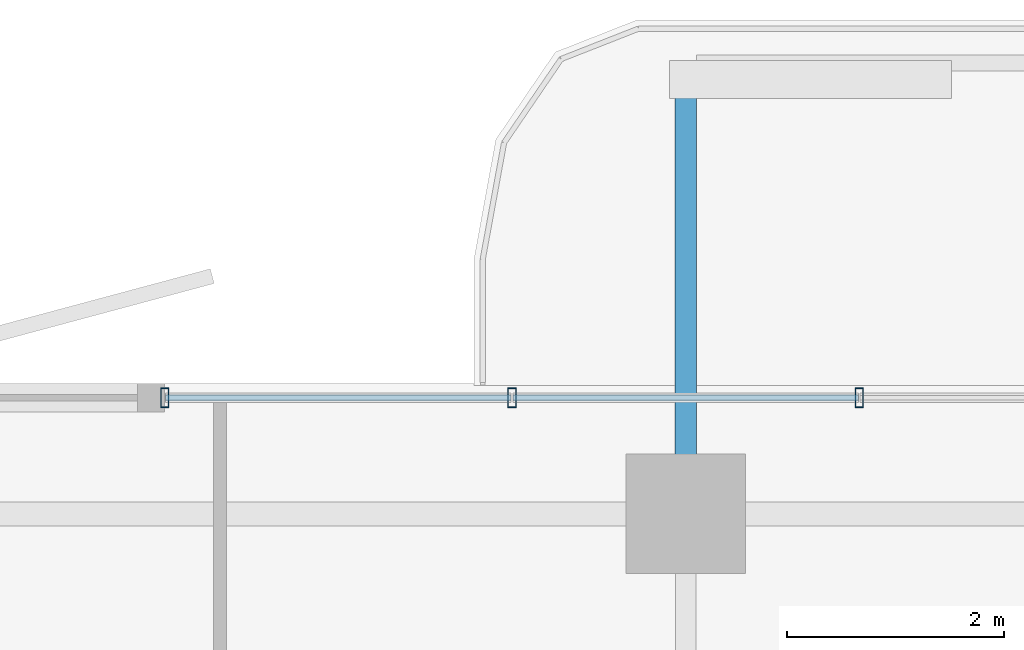
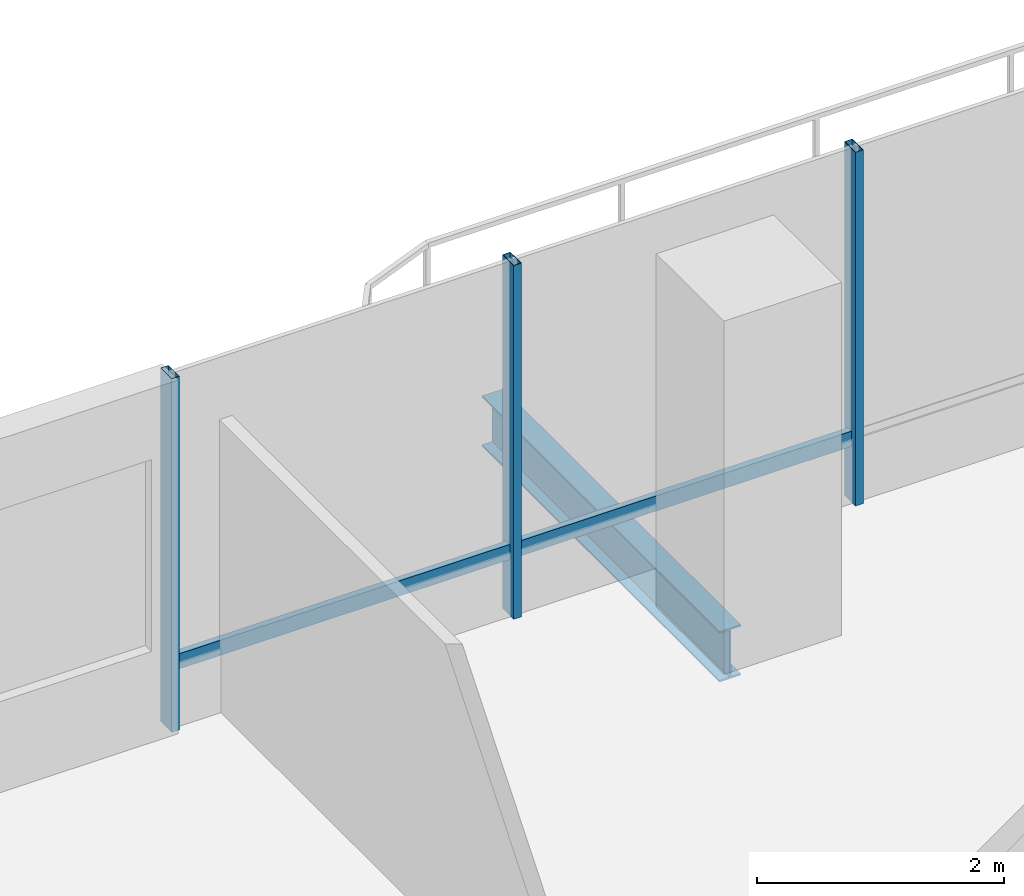
# One storey, part 11 of 24: 5 members, 1 beam, 1 element without a shape of its own.
"""IFC4 building model written with IfcOpenShell, lengths in metres."""

import ifcopenshell
import ifcopenshell.guid

model = None  # the IFC model being written
_history = None  # IfcOwnerHistory: only IFC2X3 demands one
_inside = {}  # id of a spatial element -> (the spatial element, [elements in it])
_under = {}  # id of a project, library or spatial element -> (it, [spatial elements below it])
_declared = {}  # id of a project -> (the project, [libraries it declares])
_typed = {}  # id of a type object -> (the type object, [elements of that type])
_made_of = {}  # id of a material, layer set ... -> (it, [elements and type objects made of it])


def new_model(schema):
    """Start an empty IFC model of exactly this schema.

    Asked for "IFC4X3", IfcOpenShell would pick the latest addendum, in which some entities
    have other attributes; the version numbers below select the first issue.
    IFC2X3 requires an IfcOwnerHistory on every rooted entity: one is made here for all.
    """
    global model, _history
    if schema == "IFC4X3":
        model = ifcopenshell.file(schema_version=(4, 3, 0, 0))
    else:
        model = ifcopenshell.file(schema=schema)
    _inside.clear()
    _under.clear()
    _declared.clear()
    _typed.clear()
    _made_of.clear()
    _history = None
    if model.schema == "IFC2X3":
        org = make("IfcOrganization", Name="unknown")
        user = make(
            "IfcPersonAndOrganization",
            ThePerson=make("IfcPerson", FamilyName="unknown"),
            TheOrganization=org,
        )
        app = make(
            "IfcApplication",
            ApplicationDeveloper=org,
            Version="unknown",
            ApplicationFullName="unknown",
            ApplicationIdentifier="unknown",
        )
        _history = make(
            "IfcOwnerHistory",
            OwningUser=user,
            OwningApplication=app,
            ChangeAction="ADDED",
            CreationDate=0,
        )
    return model


def make(cls, **values):
    """One entity of the class cls with the attributes given. An attribute that is None is left unset."""
    return model.create_entity(
        cls, **{name: value for name, value in values.items() if value is not None}
    )


def rooted(cls, **values):
    """An entity with a GlobalId (a new one), such as an element, a storey or a relation."""
    return make(cls, GlobalId=ifcopenshell.guid.new(), OwnerHistory=_history, **values)


def si_unit(unit_type, name, prefix=None):
    """IfcSIUnit, for example si_unit("LENGTHUNIT", "METRE", prefix="MILLI")."""
    return make("IfcSIUnit", UnitType=unit_type, Prefix=prefix, Name=name)


def assignment(units):
    """IfcUnitAssignment: the units of a project."""
    return None if units is None else make("IfcUnitAssignment", Units=units)


def point(xyz):
    """IfcCartesianPoint."""
    return None if xyz is None else make("IfcCartesianPoint", Coordinates=xyz)


def direction(xyz):
    """IfcDirection."""
    return None if xyz is None else make("IfcDirection", DirectionRatios=xyz)


def frame(location, z_axis=None, x_axis=None):
    """IfcAxis2Placement3D, a coordinate frame: its origin and axes. An axis left out is left unset."""
    return make(
        "IfcAxis2Placement3D",
        Location=point(location),
        Axis=direction(z_axis),
        RefDirection=direction(x_axis),
    )


def frame_2d(location, x_axis=None):
    """IfcAxis2Placement2D, a coordinate frame in the plane: its origin and x axis."""
    return make(
        "IfcAxis2Placement2D", Location=point(location), RefDirection=direction(x_axis)
    )


def origin():
    """The frame at (0, 0, 0) with its axes left unset."""
    return frame((0.0, 0.0, 0.0))


def origin_2d():
    """The frame at (0, 0) in the plane with its x axis left unset."""
    return frame_2d((0.0, 0.0))


def place(relative_to, where):
    """IfcLocalPlacement: puts the frame where relative to a parent placement (None: the world)."""
    return make(
        "IfcLocalPlacement", PlacementRelTo=relative_to, RelativePlacement=where
    )


def context(
    kind, dimensions, precision=None, world=None, true_north=None, identifier=None
):
    """IfcGeometricRepresentationContext, for example the 3D "Model" context."""
    return make(
        "IfcGeometricRepresentationContext",
        ContextIdentifier=identifier,
        ContextType=kind,
        CoordinateSpaceDimension=dimensions,
        Precision=precision,
        WorldCoordinateSystem=world,
        TrueNorth=true_north,
    )


def subcontext(parent, identifier, kind, view, scale=None):
    """IfcGeometricRepresentationSubContext, for example "Body" below "Model"."""
    return make(
        "IfcGeometricRepresentationSubContext",
        ContextIdentifier=identifier,
        ContextType=kind,
        ParentContext=parent,
        TargetScale=scale,
        TargetView=view,
    )


def project(units=None, contexts=None):
    """IfcProject with its units and contexts."""
    return rooted(
        "IfcProject",
        Name="project",
        RepresentationContexts=contexts,
        UnitsInContext=assignment(units),
    )


def spatial(cls, under=None, at=None, **own):
    """A site, building, storey or space (cls), placed at a placement, below another one or the project."""
    s = rooted(cls, ObjectPlacement=at, **own)
    if under is not None:
        _under.setdefault(under.id(), (under, []))[1].append(s)
    return s


def profile(cls, at=None, kind="AREA", **sizes):
    """A parametric profile (cls). Its sizes go by their IFC names, for example OverallWidth=200.0."""
    return make(cls, ProfileType=kind, Position=at, **sizes)


def hollow_rectangle(**sizes):
    """IfcRectangleHollowProfileDef."""
    return profile("IfcRectangleHollowProfileDef", **sizes)


def i_section(**sizes):
    """IfcIShapeProfileDef."""
    return profile("IfcIShapeProfileDef", **sizes)


def extrude(swept, where, along, depth):
    """IfcExtrudedAreaSolid: the profile swept, set in the frame where, extruded along a direction by depth."""
    return make(
        "IfcExtrudedAreaSolid",
        SweptArea=swept,
        Position=where,
        ExtrudedDirection=direction(along),
        Depth=depth,
    )


def shape(context_of_items, identifier, shape_type, items):
    """IfcShapeRepresentation: the items that make up one representation, for example the "Body"."""
    return make(
        "IfcShapeRepresentation",
        ContextOfItems=context_of_items,
        RepresentationIdentifier=identifier,
        RepresentationType=shape_type,
        Items=items,
    )


def material(Name=None, Category=None):
    """IfcMaterial."""
    return make("IfcMaterial", Name=Name, Category=Category)


def layer(
    of_material, thickness, ventilated=None, Name=None, Category=None, Priority=None
):
    """IfcMaterialLayer: one layer of a wall or slab, of a material (None: an air gap)."""
    return make(
        "IfcMaterialLayer",
        Material=of_material,
        LayerThickness=thickness,
        IsVentilated=ventilated,
        Name=Name,
        Category=Category,
        Priority=Priority,
    )


def layer_set(layers, Name=None):
    """IfcMaterialLayerSet."""
    return make("IfcMaterialLayerSet", MaterialLayers=layers, LayerSetName=Name)


def material_profile(
    of_material, cross_section, Name=None, Category=None, Priority=None
):
    """IfcMaterialProfile: a cross section and its material."""
    return make(
        "IfcMaterialProfile",
        Name=Name,
        Material=of_material,
        Profile=cross_section,
        Priority=Priority,
        Category=Category,
    )


def profile_set(profiles, Name=None, composite=None):
    """IfcMaterialProfileSet."""
    return make(
        "IfcMaterialProfileSet",
        Name=Name,
        MaterialProfiles=profiles,
        CompositeProfile=composite,
    )


def made_of(thing, what):
    """Note that an element or type object is made of a material, layer set ...; save() writes the relation."""
    if what is not None:
        _made_of.setdefault(what.id(), (what, []))[1].append(thing)
    return thing


def type_object(cls, material=None, **own):
    """A type object (cls), such as IfcWallType, which elements share."""
    return made_of(rooted(cls, **own), material)


def element(
    cls,
    number,
    at=None,
    inside=None,
    cuts=None,
    type_object=None,
    material=None,
    context=None,
    identifier="Body",
    shape_type=None,
    held_by="IfcProductDefinitionShape",
    body=None,
    shapes=None,
    **own,
):
    """One element of the class cls, such as IfcWall. Its Tag is "e" and its number.

    at: its placement. inside: the storey or other place that contains it. cuts: it is an
    opening in that element (IfcRelVoidsElement). A single representation is given by context,
    identifier, shape_type and body (its items); several are given by shapes. held_by: the class
    of the entity that holds the representations. save() writes the other relations.
    """
    e = rooted(cls, Tag="e%d" % number, ObjectPlacement=at, **own)
    if body is not None:
        shapes = [shape(context, identifier, shape_type, body)]
    if shapes is not None:
        e.Representation = make(held_by, Representations=shapes)
    if inside is not None:
        _inside.setdefault(inside.id(), (inside, []))[1].append(e)
    if cuts is not None:
        rooted(
            "IfcRelVoidsElement", RelatingBuildingElement=cuts, RelatedOpeningElement=e
        )
    if type_object is not None:
        _typed.setdefault(type_object.id(), (type_object, []))[1].append(e)
    return made_of(e, material)


def aggregate(whole, parts):
    """IfcRelAggregates: a whole, such as a stair, and the parts it consists of."""
    return rooted("IfcRelAggregates", RelatingObject=whole, RelatedObjects=parts)


def save(model, path):
    """Write the relations noted so far, then the file.

    IfcRelAggregates (storeys below a building ...), IfcRelContainedInSpatialStructure (elements
    in a storey), IfcRelDefinesByType, IfcRelAssociatesMaterial and IfcRelDeclares: one each for
    every whole, place, type object, material and project.
    """
    for whole, parts in _under.values():
        aggregate(whole, parts)
    for where, things in _inside.values():
        rooted(
            "IfcRelContainedInSpatialStructure",
            RelatedElements=things,
            RelatingStructure=where,
        )
    for kind, things in _typed.values():
        rooted("IfcRelDefinesByType", RelatedObjects=things, RelatingType=kind)
    for what, things in _made_of.values():
        rooted("IfcRelAssociatesMaterial", RelatedObjects=things, RelatingMaterial=what)
    for by, libraries in _declared.values():
        rooted("IfcRelDeclares", RelatingContext=by, RelatedDefinitions=libraries)
    model.write(path)


model = new_model("IFC4")

# Units and contexts
model_context = context("Model", 3, precision=1e-05, world=origin(), true_north=direction((0.0, 1.0)))
body_context = subcontext(model_context, "Body", "Model", "MODEL_VIEW")
ifc_project = project(units=[si_unit("LENGTHUNIT", "METRE"), si_unit("AREAUNIT", "SQUARE_METRE"), si_unit("VOLUMEUNIT", "CUBIC_METRE"), si_unit("PLANEANGLEUNIT", "RADIAN"), si_unit("MASSUNIT", "GRAM", prefix="KILO")], contexts=[model_context])

# Site, building, storey
site_placement = place(None, origin())
site = spatial("IfcSite", under=ifc_project, at=site_placement, CompositionType="ELEMENT")
building_placement = place(site_placement, origin())
building = spatial("IfcBuilding", under=site, at=building_placement, Name="Belovzor Exchange Tower", CompositionType="ELEMENT")
storey_placement = place(building_placement, frame((0.0, 0.0, 218.699951171875)))
storey = spatial("IfcBuildingStorey", under=building, at=storey_placement, Name="L54", CompositionType="ELEMENT", Elevation=218.699951171875)

# Beam
ifc_material_1 = material(Name="Steel S355", Category="steel")
ifc_material_profile_1 = material_profile(ifc_material_1, i_section(OverallWidth=0.199951171875, OverallDepth=0.5, WebThickness=0.01025390625, FlangeThickness=0.01611328125, at=origin_2d()))
ifc_profile_set_1 = profile_set([ifc_material_profile_1], Name="Steel S355")
beam_type = type_object("IfcBeamType", Name="Planted Balcony Cantilever Beam IPE 500", PredefinedType="BEAM", material=ifc_profile_set_1)
beam_placement = place(storey_placement, frame((28.800048828125, 54.903076171875, -0.5), z_axis=(0.0, 1.0, 0.0), x_axis=(-1.0, 0.0, 0.0)))
element("IfcBeam", 1, at=beam_placement, inside=storey, type_object=beam_type, Name="BC-500 Planted Balcony Cantilever Beam IPE 500", PredefinedType="BEAM", context=body_context, shape_type="SweptSolid", body=[
    extrude(i_section(OverallWidth=0.199951171875, OverallDepth=0.5, WebThickness=0.01025390625, FlangeThickness=0.01611328125, at=origin_2d()), origin(), (0.0, 0.0, 1.0), 3.849853515625),
])

# Curtain wall, members
ifc_material_2 = material(Name="Anodised Aluminium Framing", Category="aluminium")
ifc_layer = layer(ifc_material_2, 0.179931640625)
ifc_layer_set = layer_set([ifc_layer], Name="Anodised Aluminium Framing")
curtain_wall_type = type_object("IfcCurtainWallType", Name="Recessed Loggia Low-Iron Triple-Glazed Curtain Wall", PredefinedType="NOTDEFINED", material=ifc_layer_set)
curtain_wall_placement = place(storey_placement, origin())
curtain_wall = element("IfcCurtainWall", 2, at=curtain_wall_placement, inside=storey, type_object=curtain_wall_type, Name="CW3 Recessed Loggia Low-Iron Triple-Glazed Curtain Wall L54", PredefinedType="NOTDEFINED")
ifc_material_3 = material(Name="Steel S355", Category="steel")
ifc_material_profile_2 = material_profile(ifc_material_3, hollow_rectangle(XDim=0.074951171875, YDim=0.179931640625, WallThickness=0.0048828125, at=origin_2d()))
ifc_profile_set_2 = profile_set([ifc_material_profile_2], Name="Steel S355")
member_type_1 = type_object("IfcMemberType", Name="Thermally Broken Curtain Wall Mullion 180x75", PredefinedType="MULLION", material=ifc_profile_set_2)
member_1_placement = place(storey_placement, frame((24.0, 55.669921875, 0.0), z_axis=(0.0, 0.0, 1.0), x_axis=(1.0, 0.0, 0.0)))
member_1 = element("IfcMember", 3, at=member_1_placement, type_object=member_type_1, Name="CW-M180 Curtain Wall Mullion 1", PredefinedType="MULLION", context=body_context, shape_type="SweptSolid", body=[
    extrude(hollow_rectangle(XDim=0.074951171875, YDim=0.179931640625, WallThickness=0.0048828125, at=origin_2d()), origin(), (0.0, 0.0, 1.0), 3.5),
])
member_2_placement = place(storey_placement, frame((27.199951171875, 55.669921875, 0.0), z_axis=(0.0, 0.0, 1.0), x_axis=(1.0, 0.0, 0.0)))
member_2 = element("IfcMember", 4, at=member_2_placement, type_object=member_type_1, Name="CW-M180 Curtain Wall Mullion 2", PredefinedType="MULLION", context=body_context, shape_type="SweptSolid", body=[
    extrude(hollow_rectangle(XDim=0.074951171875, YDim=0.179931640625, WallThickness=0.0048828125, at=origin_2d()), origin(), (0.0, 0.0, 1.0), 3.5),
])
member_3_placement = place(storey_placement, frame((30.39990234375, 55.669921875, 0.0), z_axis=(0.0, 0.0, 1.0), x_axis=(1.0, 0.0, 0.0)))
member_3 = element("IfcMember", 5, at=member_3_placement, type_object=member_type_1, Name="CW-M180 Curtain Wall Mullion 3", PredefinedType="MULLION", context=body_context, shape_type="SweptSolid", body=[
    extrude(hollow_rectangle(XDim=0.074951171875, YDim=0.179931640625, WallThickness=0.0048828125, at=origin_2d()), origin(), (0.0, 0.0, 1.0), 3.5),
])
ifc_material_4 = material(Name="Steel S355", Category="steel")
ifc_material_profile_3 = material_profile(ifc_material_4, hollow_rectangle(XDim=0.06005859375, YDim=0.14990234375, WallThickness=0.00390625, at=origin_2d()))
ifc_profile_set_3 = profile_set([ifc_material_profile_3], Name="Steel S355")
member_type_2 = type_object("IfcMemberType", Name="Thermally Broken Curtain Wall Transom 150x60", PredefinedType="USERDEFINED", material=ifc_profile_set_3)
member_4_placement = place(storey_placement, frame((24.008056640625, 55.669921875, 0.630126953125), z_axis=(1.0, 0.0, 0.0), x_axis=(0.0, 1.0, 0.0)))
member_4 = element("IfcMember", 6, at=member_4_placement, type_object=member_type_2, Name="CW-T150 Curtain Wall Transom 1", ObjectType="TRANSOM", PredefinedType="USERDEFINED", context=body_context, shape_type="SweptSolid", body=[
    extrude(hollow_rectangle(XDim=0.06005859375, YDim=0.14990234375, WallThickness=0.00390625, at=origin_2d()), origin(), (0.0, 0.0, 1.0), 3.183837890625),
])
member_5_placement = place(storey_placement, frame((27.2080078125, 55.669921875, 0.630126953125), z_axis=(1.0, 0.0, 0.0), x_axis=(0.0, 1.0, 0.0)))
member_5 = element("IfcMember", 7, at=member_5_placement, type_object=member_type_2, Name="CW-T150 Curtain Wall Transom 2", ObjectType="TRANSOM", PredefinedType="USERDEFINED", context=body_context, shape_type="SweptSolid", body=[
    extrude(hollow_rectangle(XDim=0.06005859375, YDim=0.14990234375, WallThickness=0.00390625, at=origin_2d()), origin(), (0.0, 0.0, 1.0), 3.18408203125),
])
aggregate(curtain_wall, [member_1, member_2, member_3, member_4, member_5])

save(model, "model.ifc")
